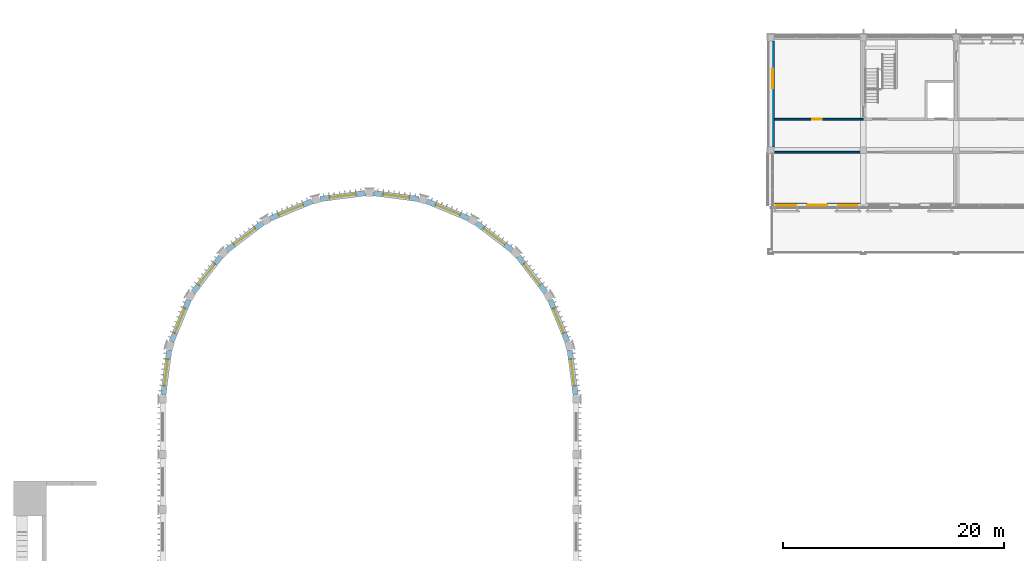
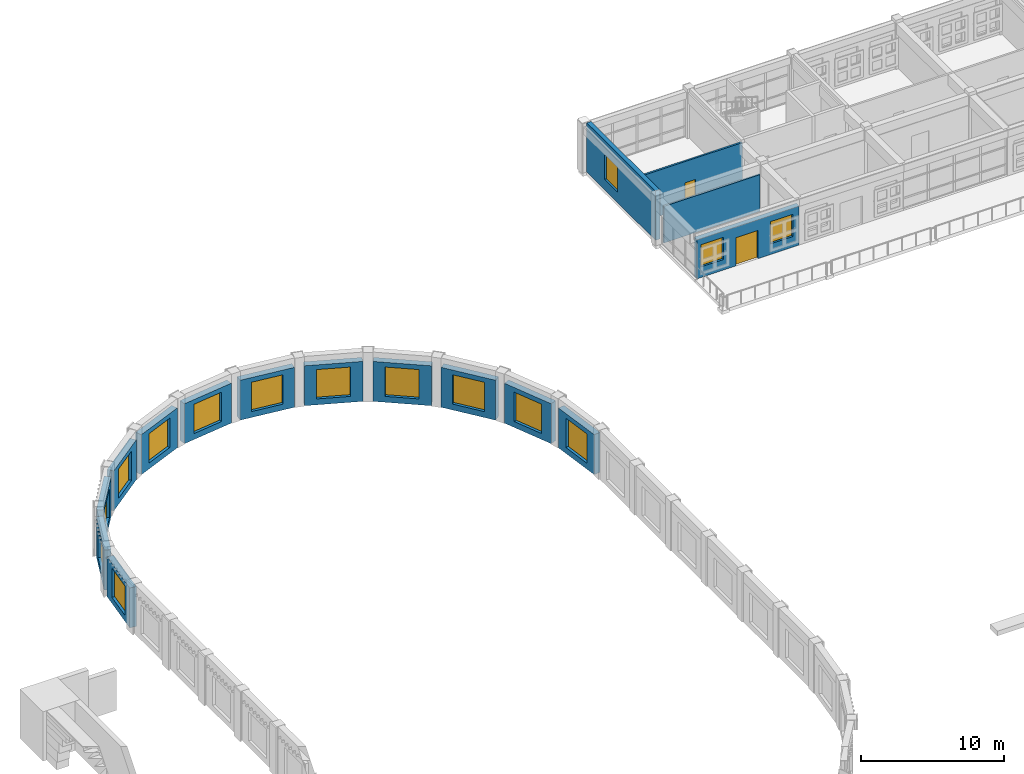
# One storey, part 41 of 71: 16 walls, 15 windows, 2 doors, 17 openings.
"""IFC4 building model written with IfcOpenShell, lengths in metres."""

from ifc_helpers import new_model, si_unit, direction, frame, frame_2d, origin, place, context, subcontext, project, spatial, rectangle, extrude, material, layer, layer_set, type_object, element, fill, save


model = new_model("IFC4")

# Units and contexts
model_context = context("Model", 3, precision=1e-05, world=origin(), true_north=direction((0.0, 1.0)))
body_context = subcontext(model_context, "Body", "Model", "MODEL_VIEW")
ifc_project = project(units=[si_unit("LENGTHUNIT", "METRE"), si_unit("AREAUNIT", "SQUARE_METRE"), si_unit("VOLUMEUNIT", "CUBIC_METRE"), si_unit("PLANEANGLEUNIT", "RADIAN"), si_unit("MASSUNIT", "GRAM", prefix="KILO")], contexts=[model_context])

# Site, building, storey
site_placement = place(None, origin())
site = spatial("IfcSite", under=ifc_project, at=site_placement, CompositionType="ELEMENT")
building_placement = place(site_placement, origin())
building = spatial("IfcBuilding", under=site, at=building_placement, Name="Wasatch Bagh Community Centre", CompositionType="ELEMENT")
storey_placement = place(building_placement, frame((0.0, 0.0, 12.60009765625)))
storey = spatial("IfcBuildingStorey", under=building, at=storey_placement, Name="L03", CompositionType="ELEMENT", Elevation=12.60009765625)

# Wall, opening, window
ifc_material_1 = material(Name="Concrete C40", Category="concrete")
ifc_layer_1 = layer(ifc_material_1, 0.35009765625)
ifc_layer_set_1 = layer_set([ifc_layer_1], Name="Concrete C40")
wall_type_1 = type_object("IfcWallType", Name="LW end shear wall 350", PredefinedType="SHEAR", material=ifc_layer_set_1)
wall_1_placement = place(storey_placement, frame((72.574951171875, 87.89990234375, 0.0), z_axis=(0.0, 0.0, 1.0), x_axis=(0.0, 1.0, 0.0)))
wall_1 = element("IfcWall", 1, at=wall_1_placement, inside=storey, type_object=wall_type_1, Name="LW.swall.L03.12", PredefinedType="SHEAR", context=body_context, shape_type="SweptSolid", body=[
    extrude(rectangle(XDim=9.60009765625, YDim=0.35009765625, at=frame_2d((4.800048828125, 0.0))), origin(), (0.0, 0.0, 1.0), 4.199951171875),
])
opening_1_placement = place(wall_1_placement, frame((5.300048828125, 0.0, 0.89990234375)))
opening_1 = element("IfcOpeningElement", 2, at=opening_1_placement, cuts=wall_1, Name="Opening 3L-W022", PredefinedType="OPENING", context=body_context, shape_type="SweptSolid", body=[
    extrude(rectangle(XDim=1.800048828125, YDim=2.10009765625, at=frame_2d((0.89990234375, 1.050048828125))), frame((0.0, 0.18505859375, 0.0), z_axis=(0.0, -1.0, 0.0), x_axis=(1.0, 0.0, 0.0)), (0.0, 0.0, 1.0), 0.3701171875),
])
ifc_material_2 = material(Name="Aluminium framed double glazing", Category="aluminium")
window_type_1 = type_object("IfcWindowType", Name="LW window 1800x2100", PartitioningType="SINGLE_PANEL", PredefinedType="WINDOW", material=ifc_material_2)
window_1_placement = place(opening_1_placement, origin())
window_1 = element("IfcWindow", 3, at=window_1_placement, inside=storey, type_object=window_type_1, Name="Window 3L-W022", OverallHeight=2.10009765625, OverallWidth=1.800048828125, PartitioningType="SINGLE_PANEL", PredefinedType="WINDOW", context=body_context, shape_type="SweptSolid", body=[
    extrude(rectangle(XDim=1.800048828125, YDim=2.10009765625, at=frame_2d((0.89990234375, 1.050048828125))), frame((0.0, 0.030029296875, 0.0), z_axis=(0.0, -1.0, 0.0), x_axis=(1.0, 0.0, 0.0)), (0.0, 0.0, 1.0), 0.06005859375),
])
fill(opening_1, window_1)

# Wall, openings, door, windows
ifc_material_3 = material(Name="Concrete C35", Category="concrete")
ifc_layer_2 = layer(ifc_material_3, 0.39990234375)
ifc_layer_set_2 = layer_set([ifc_layer_2], Name="Concrete C35")
wall_type_2 = type_object("IfcWallType", Name="LW facade wall 400", PredefinedType="SOLIDWALL", material=ifc_layer_set_2)
wall_2_placement = place(storey_placement, frame((72.5849609375, 82.60009765625, 0.0), z_axis=(0.0, 0.0, 1.0), x_axis=(1.0, 0.0, 0.0)))
wall_2 = element("IfcWall", 4, at=wall_2_placement, inside=storey, type_object=wall_type_2, Name="Facade wall", PredefinedType="SOLIDWALL", context=body_context, shape_type="SweptSolid", body=[
    extrude(rectangle(XDim=8.215087890625, YDim=0.39990234375, at=frame_2d((4.107421875, 0.0))), origin(), (0.0, 0.0, 1.0), 3.31982421875),
])
opening_2_placement = place(wall_2_placement, frame((3.114990234375, 0.0, 0.0)))
opening_2 = element("IfcOpeningElement", 5, at=opening_2_placement, cuts=wall_2, Name="Opening 3L-01", PredefinedType="OPENING", context=body_context, shape_type="SweptSolid", body=[
    extrude(rectangle(XDim=1.800048828125, YDim=2.39990234375, at=frame_2d((0.89990234375, 1.199951171875))), frame((0.0, 0.2099609375, 0.0), z_axis=(0.0, -1.0, 0.0), x_axis=(1.0, 0.0, 0.0)), (0.0, 0.0, 1.0), 0.419921875),
])
opening_3_placement = place(wall_2_placement, frame((0.31494140625, 0.0, 0.89990234375)))
opening_3 = element("IfcOpeningElement", 6, at=opening_3_placement, cuts=wall_2, Name="Opening 3L-W001", PredefinedType="OPENING", context=body_context, shape_type="SweptSolid", body=[
    extrude(rectangle(XDim=1.800048828125, YDim=1.89990234375, at=frame_2d((0.89990234375, 0.949951171875))), frame((0.0, 0.2099609375, 0.0), z_axis=(0.0, -1.0, 0.0), x_axis=(1.0, 0.0, 0.0)), (0.0, 0.0, 1.0), 0.419921875),
])
opening_4_placement = place(wall_2_placement, frame((5.9150390625, 0.0, 0.89990234375)))
opening_4 = element("IfcOpeningElement", 7, at=opening_4_placement, cuts=wall_2, Name="Opening 3L-W002", PredefinedType="OPENING", context=body_context, shape_type="SweptSolid", body=[
    extrude(rectangle(XDim=1.800048828125, YDim=1.89990234375, at=frame_2d((0.89990234375, 0.949951171875))), frame((0.0, 0.2099609375, 0.0), z_axis=(0.0, -1.0, 0.0), x_axis=(1.0, 0.0, 0.0)), (0.0, 0.0, 1.0), 0.419921875),
])
ifc_material_4 = material(Name="Aluminium framed glazed door", Category="aluminium")
door_type_1 = type_object("IfcDoorType", Name="LW terrace door pair 1800x2400", OperationType="DOUBLE_DOOR_SINGLE_SWING", PredefinedType="DOOR", material=ifc_material_4)
door_1_placement = place(opening_2_placement, origin())
door_1 = element("IfcDoor", 8, at=door_1_placement, inside=storey, type_object=door_type_1, Name="Terrace door 3L-01", OperationType="DOUBLE_DOOR_SINGLE_SWING", OverallHeight=2.39990234375, OverallWidth=1.800048828125, PredefinedType="DOOR", context=body_context, shape_type="SweptSolid", body=[
    extrude(rectangle(XDim=1.800048828125, YDim=2.39990234375, at=frame_2d((0.89990234375, 1.199951171875))), frame((0.0, 0.02490234375, 0.0), z_axis=(0.0, -1.0, 0.0), x_axis=(1.0, 0.0, 0.0)), (0.0, 0.0, 1.0), 0.050048828125),
])
fill(opening_2, door_1)
window_type_2 = type_object("IfcWindowType", Name="LW window 1800x1900", PartitioningType="SINGLE_PANEL", PredefinedType="WINDOW", material=ifc_material_2)
window_2_placement = place(opening_3_placement, origin())
window_2 = element("IfcWindow", 9, at=window_2_placement, inside=storey, type_object=window_type_2, Name="Window 3L-W001", OverallHeight=1.89990234375, OverallWidth=1.800048828125, PartitioningType="SINGLE_PANEL", PredefinedType="WINDOW", context=body_context, shape_type="SweptSolid", body=[
    extrude(rectangle(XDim=1.800048828125, YDim=1.89990234375, at=frame_2d((0.89990234375, 0.949951171875))), frame((0.0, 0.030029296875, 0.0), z_axis=(0.0, -1.0, 0.0), x_axis=(1.0, 0.0, 0.0)), (0.0, 0.0, 1.0), 0.06005859375),
])
fill(opening_3, window_2)
window_3_placement = place(opening_4_placement, origin())
window_3 = element("IfcWindow", 10, at=window_3_placement, inside=storey, type_object=window_type_2, Name="Window 3L-W002", OverallHeight=1.89990234375, OverallWidth=1.800048828125, PartitioningType="SINGLE_PANEL", PredefinedType="WINDOW", context=body_context, shape_type="SweptSolid", body=[
    extrude(rectangle(XDim=1.800048828125, YDim=1.89990234375, at=frame_2d((0.89990234375, 0.949951171875))), frame((0.0, 0.030029296875, 0.0), z_axis=(0.0, -1.0, 0.0), x_axis=(1.0, 0.0, 0.0)), (0.0, 0.0, 1.0), 0.06005859375),
])
fill(opening_4, window_3)

# Wall
ifc_material_5 = material(Name="Gypsum board on steel studs", Category="steel")
ifc_layer_3 = layer(ifc_material_5, 0.14990234375)
ifc_layer_set_3 = layer_set([ifc_layer_3], Name="Gypsum board on steel studs")
wall_type_3 = type_object("IfcWallType", Name="LW partition 150", PredefinedType="PARTITIONING", material=ifc_layer_set_3)
wall_3_placement = place(storey_placement, frame((72.75, 87.39990234375, 0.0), z_axis=(0.0, 0.0, 1.0), x_axis=(1.0, 0.0, 0.0)))
element("IfcWall", 11, at=wall_3_placement, inside=storey, type_object=wall_type_3, Name="LW.part.L03.003", PredefinedType="PARTITIONING", context=body_context, shape_type="SweptSolid", body=[
    extrude(rectangle(XDim=7.75, YDim=0.14990234375, at=frame_2d((3.875, 0.0))), origin(), (0.0, 0.0, 1.0), 3.119873046875),
])

# Wall, opening, door
wall_4_placement = place(storey_placement, frame((72.75, 90.39990234375, 0.0), z_axis=(0.0, 0.0, 1.0), x_axis=(1.0, 0.0, 0.0)))
wall_4 = element("IfcWall", 12, at=wall_4_placement, inside=storey, type_object=wall_type_3, Name="LW.part.L03.008", PredefinedType="PARTITIONING", context=body_context, shape_type="SweptSolid", body=[
    extrude(rectangle(XDim=8.050048828125, YDim=0.14990234375, at=frame_2d((4.02490234375, 0.0))), origin(), (0.0, 0.0, 1.0), 3.919921875),
])
opening_5_placement = place(wall_4_placement, frame((3.425048828125, 0.0, 0.0)))
opening_5 = element("IfcOpeningElement", 13, at=opening_5_placement, cuts=wall_4, Name="Opening 3L-11", PredefinedType="OPENING", context=body_context, shape_type="SweptSolid", body=[
    extrude(rectangle(XDim=0.85009765625, YDim=2.10009765625, at=frame_2d((0.425048828125, 1.050048828125))), frame((0.0, 0.0849609375, 0.0), z_axis=(0.0, -1.0, 0.0), x_axis=(1.0, 0.0, 0.0)), (0.0, 0.0, 1.0), 0.169921875),
])
ifc_material_6 = material(Name="Painted timber", Category="wood")
door_type_2 = type_object("IfcDoorType", Name="LW office door 850x2100", OperationType="SINGLE_SWING_LEFT", PredefinedType="DOOR", material=ifc_material_6)
door_2_placement = place(opening_5_placement, origin())
door_2 = element("IfcDoor", 14, at=door_2_placement, inside=storey, type_object=door_type_2, Name="Door Staff Office 1 3L-11", OperationType="SINGLE_SWING_LEFT", OverallHeight=2.10009765625, OverallWidth=0.85009765625, PredefinedType="DOOR", context=body_context, shape_type="SweptSolid", body=[
    extrude(rectangle(XDim=0.85009765625, YDim=2.10009765625, at=frame_2d((0.425048828125, 1.050048828125))), frame((0.0, 0.02490234375, 0.0), z_axis=(0.0, -1.0, 0.0), x_axis=(1.0, 0.0, 0.0)), (0.0, 0.0, 1.0), 0.050048828125),
])
fill(opening_5, door_2)

# Wall, opening, window
ifc_layer_4 = layer(ifc_material_1, 0.5)
ifc_layer_set_4 = layer_set([ifc_layer_4], Name="Concrete C40")
wall_type_4 = type_object("IfcWallType", Name="MH wall RC WALL 500", PredefinedType="SHEAR", material=ifc_layer_set_4)
wall_5_placement = place(storey_placement, frame((54.699462890625, 65.383056640625, 0.0), z_axis=(0.0, 0.0, 1.0), x_axis=(-0.130483623501, 0.991450464722, 0.0)))
wall_5 = element("IfcWall", 15, at=wall_5_placement, inside=storey, type_object=wall_type_4, Name="Capsule wall 19", PredefinedType="SHEAR", context=body_context, shape_type="SweptSolid", body=[
    extrude(rectangle(XDim=4.121826171875, YDim=0.5, at=frame_2d((2.06103515625, 0.0))), origin(), (0.0, 0.0, 1.0), 3.39990234375),
])
opening_6_placement = place(wall_5_placement, frame((0.86083984375, 0.0, 0.5)))
opening_6 = element("IfcOpeningElement", 16, at=opening_6_placement, cuts=wall_5, Name="Opening 0M-W19", PredefinedType="OPENING", context=body_context, shape_type="SweptSolid", body=[
    extrude(rectangle(XDim=2.39990234375, YDim=2.5, at=frame_2d((1.199951171875, 1.25))), frame((0.0, 0.260009765625, 0.0), z_axis=(0.0, -1.0, 0.0), x_axis=(1.0, 0.0, 0.0)), (0.0, 0.0, 1.0), 0.52001953125),
])
ifc_material_7 = material(Name="Aluminium frame with low-iron insulated glass", Category="aluminium")
window_type_3 = type_object("IfcWindowType", Name="MH clerestory window W2", PartitioningType="SINGLE_PANEL", PredefinedType="WINDOW", material=ifc_material_7)
window_4_placement = place(opening_6_placement, origin())
window_4 = element("IfcWindow", 17, at=window_4_placement, inside=storey, type_object=window_type_3, Name="Window 0M-W19", OverallHeight=2.5, OverallWidth=2.39990234375, PartitioningType="SINGLE_PANEL", PredefinedType="WINDOW", context=body_context, shape_type="SweptSolid", body=[
    extrude(rectangle(XDim=2.39990234375, YDim=2.5, at=frame_2d((1.199951171875, 1.25))), frame((0.0, 0.030029296875, 0.0), z_axis=(0.0, -1.0, 0.0), x_axis=(1.0, 0.0, 0.0)), (0.0, 0.0, 1.0), 0.06005859375),
])
fill(opening_6, window_4)

wall_6_placement = place(storey_placement, frame((53.963134765625, 70.2099609375, 0.0), z_axis=(0.0, 0.0, 1.0), x_axis=(-0.382688328955, 0.923877504262, 0.0)))
wall_6 = element("IfcWall", 18, at=wall_6_placement, inside=storey, type_object=wall_type_4, Name="Capsule wall 20", PredefinedType="SHEAR", context=body_context, shape_type="SweptSolid", body=[
    extrude(rectangle(XDim=4.121826171875, YDim=0.5, at=frame_2d((2.06103515625, 0.0))), origin(), (0.0, 0.0, 1.0), 3.39990234375),
])
opening_7_placement = place(wall_6_placement, frame((0.86083984375, 0.0, 0.5)))
opening_7 = element("IfcOpeningElement", 19, at=opening_7_placement, cuts=wall_6, Name="Opening 0M-W20", PredefinedType="OPENING", context=body_context, shape_type="SweptSolid", body=[
    extrude(rectangle(XDim=2.39990234375, YDim=2.5, at=frame_2d((1.199951171875, 1.25))), frame((0.0, 0.260009765625, 0.0), z_axis=(0.0, -1.0, 0.0), x_axis=(1.0, 0.0, 0.0)), (0.0, 0.0, 1.0), 0.52001953125),
])
window_5_placement = place(opening_7_placement, origin())
window_5 = element("IfcWindow", 20, at=window_5_placement, inside=storey, type_object=window_type_3, Name="Window 0M-W20", OverallHeight=2.5, OverallWidth=2.39990234375, PartitioningType="SINGLE_PANEL", PredefinedType="WINDOW", context=body_context, shape_type="SweptSolid", body=[
    extrude(rectangle(XDim=2.39990234375, YDim=2.5, at=frame_2d((1.199951171875, 1.25))), frame((0.0, 0.030029296875, 0.0), z_axis=(0.0, -1.0, 0.0), x_axis=(1.0, 0.0, 0.0)), (0.0, 0.0, 1.0), 0.06005859375),
])
fill(opening_7, window_5)

wall_7_placement = place(storey_placement, frame((52.002685546875, 74.681640625, 0.0), z_axis=(0.0, 0.0, 1.0), x_axis=(-0.60877717335, 0.793341258985, 0.0)))
wall_7 = element("IfcWall", 21, at=wall_7_placement, inside=storey, type_object=wall_type_4, Name="Capsule wall 21", PredefinedType="SHEAR", context=body_context, shape_type="SweptSolid", body=[
    extrude(rectangle(XDim=4.121826171875, YDim=0.5, at=frame_2d((2.06103515625, 0.0))), origin(), (0.0, 0.0, 1.0), 3.39990234375),
])
opening_8_placement = place(wall_7_placement, frame((0.86083984375, 0.0, 0.5)))
opening_8 = element("IfcOpeningElement", 22, at=opening_8_placement, cuts=wall_7, Name="Opening 0M-W21", PredefinedType="OPENING", context=body_context, shape_type="SweptSolid", body=[
    extrude(rectangle(XDim=2.39990234375, YDim=2.5, at=frame_2d((1.199951171875, 1.25))), frame((0.0, 0.260009765625, 0.0), z_axis=(0.0, -1.0, 0.0), x_axis=(1.0, 0.0, 0.0)), (0.0, 0.0, 1.0), 0.52001953125),
])
window_6_placement = place(opening_8_placement, origin())
window_6 = element("IfcWindow", 23, at=window_6_placement, inside=storey, type_object=window_type_3, Name="Window 0M-W21", OverallHeight=2.5, OverallWidth=2.39990234375, PartitioningType="SINGLE_PANEL", PredefinedType="WINDOW", context=body_context, shape_type="SweptSolid", body=[
    extrude(rectangle(XDim=2.39990234375, YDim=2.5, at=frame_2d((1.199951171875, 1.25))), frame((0.0, 0.030029296875, 0.0), z_axis=(0.0, -1.0, 0.0), x_axis=(1.0, 0.0, 0.0)), (0.0, 0.0, 1.0), 0.06005859375),
])
fill(opening_8, window_6)

wall_8_placement = place(storey_placement, frame((48.95166015625, 78.493408203125, 0.0), z_axis=(0.0, 0.0, 1.0), x_axis=(-0.793341258985, 0.60877717335, 0.0)))
wall_8 = element("IfcWall", 24, at=wall_8_placement, inside=storey, type_object=wall_type_4, Name="Capsule wall 22", PredefinedType="SHEAR", context=body_context, shape_type="SweptSolid", body=[
    extrude(rectangle(XDim=4.121826171875, YDim=0.5, at=frame_2d((2.06103515625, 0.0))), origin(), (0.0, 0.0, 1.0), 3.39990234375),
])
opening_9_placement = place(wall_8_placement, frame((0.86083984375, 0.0, 0.5)))
opening_9 = element("IfcOpeningElement", 25, at=opening_9_placement, cuts=wall_8, Name="Opening 0M-W22", PredefinedType="OPENING", context=body_context, shape_type="SweptSolid", body=[
    extrude(rectangle(XDim=2.39990234375, YDim=2.5, at=frame_2d((1.199951171875, 1.25))), frame((0.0, 0.260009765625, 0.0), z_axis=(0.0, -1.0, 0.0), x_axis=(1.0, 0.0, 0.0)), (0.0, 0.0, 1.0), 0.52001953125),
])
window_7_placement = place(opening_9_placement, origin())
window_7 = element("IfcWindow", 26, at=window_7_placement, inside=storey, type_object=window_type_3, Name="Window 0M-W22", OverallHeight=2.5, OverallWidth=2.39990234375, PartitioningType="SINGLE_PANEL", PredefinedType="WINDOW", context=body_context, shape_type="SweptSolid", body=[
    extrude(rectangle(XDim=2.39990234375, YDim=2.5, at=frame_2d((1.199951171875, 1.25))), frame((0.0, 0.030029296875, 0.0), z_axis=(0.0, -1.0, 0.0), x_axis=(1.0, 0.0, 0.0)), (0.0, 0.0, 1.0), 0.06005859375),
])
fill(opening_9, window_7)

wall_9_placement = place(storey_placement, frame((45.01806640625, 81.3857421875, 0.0), z_axis=(0.0, 0.0, 1.0), x_axis=(-0.923877504262, 0.382688328955, 0.0)))
wall_9 = element("IfcWall", 27, at=wall_9_placement, inside=storey, type_object=wall_type_4, Name="Capsule wall 23", PredefinedType="SHEAR", context=body_context, shape_type="SweptSolid", body=[
    extrude(rectangle(XDim=4.121826171875, YDim=0.5, at=frame_2d((2.06103515625, 0.0))), origin(), (0.0, 0.0, 1.0), 3.39990234375),
])
opening_10_placement = place(wall_9_placement, frame((0.86083984375, 0.0, 0.5)))
opening_10 = element("IfcOpeningElement", 28, at=opening_10_placement, cuts=wall_9, Name="Opening 0M-W23", PredefinedType="OPENING", context=body_context, shape_type="SweptSolid", body=[
    extrude(rectangle(XDim=2.39990234375, YDim=2.5, at=frame_2d((1.199951171875, 1.25))), frame((0.0, 0.260009765625, 0.0), z_axis=(0.0, -1.0, 0.0), x_axis=(1.0, 0.0, 0.0)), (0.0, 0.0, 1.0), 0.52001953125),
])
window_8_placement = place(opening_10_placement, origin())
window_8 = element("IfcWindow", 29, at=window_8_placement, inside=storey, type_object=window_type_3, Name="Window 0M-W23", OverallHeight=2.5, OverallWidth=2.39990234375, PartitioningType="SINGLE_PANEL", PredefinedType="WINDOW", context=body_context, shape_type="SweptSolid", body=[
    extrude(rectangle(XDim=2.39990234375, YDim=2.5, at=frame_2d((1.199951171875, 1.25))), frame((0.0, 0.030029296875, 0.0), z_axis=(0.0, -1.0, 0.0), x_axis=(1.0, 0.0, 0.0)), (0.0, 0.0, 1.0), 0.06005859375),
])
fill(opening_10, window_8)

wall_10_placement = place(storey_placement, frame((40.4697265625, 83.16162109375, 0.0), z_axis=(0.0, 0.0, 1.0), x_axis=(-0.991450464722, 0.130483623501, 0.0)))
wall_10 = element("IfcWall", 30, at=wall_10_placement, inside=storey, type_object=wall_type_4, Name="Capsule wall 24", PredefinedType="SHEAR", context=body_context, shape_type="SweptSolid", body=[
    extrude(rectangle(XDim=4.121826171875, YDim=0.5, at=frame_2d((2.06103515625, 0.0))), origin(), (0.0, 0.0, 1.0), 3.39990234375),
])
opening_11_placement = place(wall_10_placement, frame((0.86083984375, 0.0, 0.5)))
opening_11 = element("IfcOpeningElement", 31, at=opening_11_placement, cuts=wall_10, Name="Opening 0M-W24", PredefinedType="OPENING", context=body_context, shape_type="SweptSolid", body=[
    extrude(rectangle(XDim=2.39990234375, YDim=2.5, at=frame_2d((1.199951171875, 1.25))), frame((0.0, 0.260009765625, 0.0), z_axis=(0.0, -1.0, 0.0), x_axis=(1.0, 0.0, 0.0)), (0.0, 0.0, 1.0), 0.52001953125),
])
window_9_placement = place(opening_11_placement, origin())
window_9 = element("IfcWindow", 32, at=window_9_placement, inside=storey, type_object=window_type_3, Name="Window 0M-W24", OverallHeight=2.5, OverallWidth=2.39990234375, PartitioningType="SINGLE_PANEL", PredefinedType="WINDOW", context=body_context, shape_type="SweptSolid", body=[
    extrude(rectangle(XDim=2.39990234375, YDim=2.5, at=frame_2d((1.199951171875, 1.25))), frame((0.0, 0.030029296875, 0.0), z_axis=(0.0, -1.0, 0.0), x_axis=(1.0, 0.0, 0.0)), (0.0, 0.0, 1.0), 0.06005859375),
])
fill(opening_11, window_9)

wall_11_placement = place(storey_placement, frame((35.616943359375, 83.699462890625, 0.0), z_axis=(0.0, 0.0, 1.0), x_axis=(-0.991450464722, -0.130483623501, 0.0)))
wall_11 = element("IfcWall", 33, at=wall_11_placement, inside=storey, type_object=wall_type_4, Name="Capsule wall 25", PredefinedType="SHEAR", context=body_context, shape_type="SweptSolid", body=[
    extrude(rectangle(XDim=4.121826171875, YDim=0.5, at=frame_2d((2.06103515625, 0.0))), origin(), (0.0, 0.0, 1.0), 3.39990234375),
])
opening_12_placement = place(wall_11_placement, frame((0.86083984375, 0.0, 0.5)))
opening_12 = element("IfcOpeningElement", 34, at=opening_12_placement, cuts=wall_11, Name="Opening 0M-W25", PredefinedType="OPENING", context=body_context, shape_type="SweptSolid", body=[
    extrude(rectangle(XDim=2.39990234375, YDim=2.5, at=frame_2d((1.199951171875, 1.25))), frame((0.0, 0.260009765625, 0.0), z_axis=(0.0, -1.0, 0.0), x_axis=(1.0, 0.0, 0.0)), (0.0, 0.0, 1.0), 0.52001953125),
])
window_10_placement = place(opening_12_placement, origin())
window_10 = element("IfcWindow", 35, at=window_10_placement, inside=storey, type_object=window_type_3, Name="Window 0M-W25", OverallHeight=2.5, OverallWidth=2.39990234375, PartitioningType="SINGLE_PANEL", PredefinedType="WINDOW", context=body_context, shape_type="SweptSolid", body=[
    extrude(rectangle(XDim=2.39990234375, YDim=2.5, at=frame_2d((1.199951171875, 1.25))), frame((0.0, 0.030029296875, 0.0), z_axis=(0.0, -1.0, 0.0), x_axis=(1.0, 0.0, 0.0)), (0.0, 0.0, 1.0), 0.06005859375),
])
fill(opening_12, window_10)

wall_12_placement = place(storey_placement, frame((30.7900390625, 82.963134765625, 0.0), z_axis=(0.0, 0.0, 1.0), x_axis=(-0.923877504262, -0.382688328955, 0.0)))
wall_12 = element("IfcWall", 36, at=wall_12_placement, inside=storey, type_object=wall_type_4, Name="Capsule wall 26", PredefinedType="SHEAR", context=body_context, shape_type="SweptSolid", body=[
    extrude(rectangle(XDim=4.121826171875, YDim=0.5, at=frame_2d((2.06103515625, 0.0))), origin(), (0.0, 0.0, 1.0), 3.39990234375),
])
opening_13_placement = place(wall_12_placement, frame((0.86083984375, 0.0, 0.5)))
opening_13 = element("IfcOpeningElement", 37, at=opening_13_placement, cuts=wall_12, Name="Opening 0M-W26", PredefinedType="OPENING", context=body_context, shape_type="SweptSolid", body=[
    extrude(rectangle(XDim=2.39990234375, YDim=2.5, at=frame_2d((1.199951171875, 1.25))), frame((0.0, 0.260009765625, 0.0), z_axis=(0.0, -1.0, 0.0), x_axis=(1.0, 0.0, 0.0)), (0.0, 0.0, 1.0), 0.52001953125),
])
window_11_placement = place(opening_13_placement, origin())
window_11 = element("IfcWindow", 38, at=window_11_placement, inside=storey, type_object=window_type_3, Name="Window 0M-W26", OverallHeight=2.5, OverallWidth=2.39990234375, PartitioningType="SINGLE_PANEL", PredefinedType="WINDOW", context=body_context, shape_type="SweptSolid", body=[
    extrude(rectangle(XDim=2.39990234375, YDim=2.5, at=frame_2d((1.199951171875, 1.25))), frame((0.0, 0.030029296875, 0.0), z_axis=(0.0, -1.0, 0.0), x_axis=(1.0, 0.0, 0.0)), (0.0, 0.0, 1.0), 0.06005859375),
])
fill(opening_13, window_11)

wall_13_placement = place(storey_placement, frame((26.318359375, 81.002685546875, 0.0), z_axis=(0.0, 0.0, 1.0), x_axis=(-0.793341258985, -0.60877717335, 0.0)))
wall_13 = element("IfcWall", 39, at=wall_13_placement, inside=storey, type_object=wall_type_4, Name="Capsule wall 27", PredefinedType="SHEAR", context=body_context, shape_type="SweptSolid", body=[
    extrude(rectangle(XDim=4.121826171875, YDim=0.5, at=frame_2d((2.06103515625, 0.0))), origin(), (0.0, 0.0, 1.0), 3.39990234375),
])
opening_14_placement = place(wall_13_placement, frame((0.86083984375, 0.0, 0.5)))
opening_14 = element("IfcOpeningElement", 40, at=opening_14_placement, cuts=wall_13, Name="Opening 0M-W27", PredefinedType="OPENING", context=body_context, shape_type="SweptSolid", body=[
    extrude(rectangle(XDim=2.39990234375, YDim=2.5, at=frame_2d((1.199951171875, 1.25))), frame((0.0, 0.260009765625, 0.0), z_axis=(0.0, -1.0, 0.0), x_axis=(1.0, 0.0, 0.0)), (0.0, 0.0, 1.0), 0.52001953125),
])
window_12_placement = place(opening_14_placement, origin())
window_12 = element("IfcWindow", 41, at=window_12_placement, inside=storey, type_object=window_type_3, Name="Window 0M-W27", OverallHeight=2.5, OverallWidth=2.39990234375, PartitioningType="SINGLE_PANEL", PredefinedType="WINDOW", context=body_context, shape_type="SweptSolid", body=[
    extrude(rectangle(XDim=2.39990234375, YDim=2.5, at=frame_2d((1.199951171875, 1.25))), frame((0.0, 0.030029296875, 0.0), z_axis=(0.0, -1.0, 0.0), x_axis=(1.0, 0.0, 0.0)), (0.0, 0.0, 1.0), 0.06005859375),
])
fill(opening_14, window_12)

wall_14_placement = place(storey_placement, frame((22.506591796875, 77.95166015625, 0.0), z_axis=(0.0, 0.0, 1.0), x_axis=(-0.60877717335, -0.793341258985, 0.0)))
wall_14 = element("IfcWall", 42, at=wall_14_placement, inside=storey, type_object=wall_type_4, Name="Capsule wall 28", PredefinedType="SHEAR", context=body_context, shape_type="SweptSolid", body=[
    extrude(rectangle(XDim=4.121826171875, YDim=0.5, at=frame_2d((2.06103515625, 0.0))), origin(), (0.0, 0.0, 1.0), 3.39990234375),
])
opening_15_placement = place(wall_14_placement, frame((0.86083984375, 0.0, 0.5)))
opening_15 = element("IfcOpeningElement", 43, at=opening_15_placement, cuts=wall_14, Name="Opening 0M-W28", PredefinedType="OPENING", context=body_context, shape_type="SweptSolid", body=[
    extrude(rectangle(XDim=2.39990234375, YDim=2.5, at=frame_2d((1.199951171875, 1.25))), frame((0.0, 0.260009765625, 0.0), z_axis=(0.0, -1.0, 0.0), x_axis=(1.0, 0.0, 0.0)), (0.0, 0.0, 1.0), 0.52001953125),
])
window_13_placement = place(opening_15_placement, origin())
window_13 = element("IfcWindow", 44, at=window_13_placement, inside=storey, type_object=window_type_3, Name="Window 0M-W28", OverallHeight=2.5, OverallWidth=2.39990234375, PartitioningType="SINGLE_PANEL", PredefinedType="WINDOW", context=body_context, shape_type="SweptSolid", body=[
    extrude(rectangle(XDim=2.39990234375, YDim=2.5, at=frame_2d((1.199951171875, 1.25))), frame((0.0, 0.030029296875, 0.0), z_axis=(0.0, -1.0, 0.0), x_axis=(1.0, 0.0, 0.0)), (0.0, 0.0, 1.0), 0.06005859375),
])
fill(opening_15, window_13)

wall_15_placement = place(storey_placement, frame((19.6142578125, 74.01806640625, 0.0), z_axis=(0.0, 0.0, 1.0), x_axis=(-0.382688328955, -0.923877504262, 0.0)))
wall_15 = element("IfcWall", 45, at=wall_15_placement, inside=storey, type_object=wall_type_4, Name="Capsule wall 29", PredefinedType="SHEAR", context=body_context, shape_type="SweptSolid", body=[
    extrude(rectangle(XDim=4.121826171875, YDim=0.5, at=frame_2d((2.06103515625, 0.0))), origin(), (0.0, 0.0, 1.0), 3.39990234375),
])
opening_16_placement = place(wall_15_placement, frame((0.86083984375, 0.0, 0.5)))
opening_16 = element("IfcOpeningElement", 46, at=opening_16_placement, cuts=wall_15, Name="Opening 0M-W29", PredefinedType="OPENING", context=body_context, shape_type="SweptSolid", body=[
    extrude(rectangle(XDim=2.39990234375, YDim=2.5, at=frame_2d((1.199951171875, 1.25))), frame((0.0, 0.260009765625, 0.0), z_axis=(0.0, -1.0, 0.0), x_axis=(1.0, 0.0, 0.0)), (0.0, 0.0, 1.0), 0.52001953125),
])
window_14_placement = place(opening_16_placement, origin())
window_14 = element("IfcWindow", 47, at=window_14_placement, inside=storey, type_object=window_type_3, Name="Window 0M-W29", OverallHeight=2.5, OverallWidth=2.39990234375, PartitioningType="SINGLE_PANEL", PredefinedType="WINDOW", context=body_context, shape_type="SweptSolid", body=[
    extrude(rectangle(XDim=2.39990234375, YDim=2.5, at=frame_2d((1.199951171875, 1.25))), frame((0.0, 0.030029296875, 0.0), z_axis=(0.0, -1.0, 0.0), x_axis=(1.0, 0.0, 0.0)), (0.0, 0.0, 1.0), 0.06005859375),
])
fill(opening_16, window_14)

wall_16_placement = place(storey_placement, frame((17.83837890625, 69.4697265625, 0.0), z_axis=(0.0, 0.0, 1.0), x_axis=(-0.130483623501, -0.991450464722, 0.0)))
wall_16 = element("IfcWall", 48, at=wall_16_placement, inside=storey, type_object=wall_type_4, Name="Capsule wall 30", PredefinedType="SHEAR", context=body_context, shape_type="SweptSolid", body=[
    extrude(rectangle(XDim=4.121826171875, YDim=0.5, at=frame_2d((2.06103515625, 0.0))), origin(), (0.0, 0.0, 1.0), 3.39990234375),
])
opening_17_placement = place(wall_16_placement, frame((0.86083984375, 0.0, 0.5)))
opening_17 = element("IfcOpeningElement", 49, at=opening_17_placement, cuts=wall_16, Name="Opening 0M-W30", PredefinedType="OPENING", context=body_context, shape_type="SweptSolid", body=[
    extrude(rectangle(XDim=2.39990234375, YDim=2.5, at=frame_2d((1.199951171875, 1.25))), frame((0.0, 0.260009765625, 0.0), z_axis=(0.0, -1.0, 0.0), x_axis=(1.0, 0.0, 0.0)), (0.0, 0.0, 1.0), 0.52001953125),
])
window_15_placement = place(opening_17_placement, origin())
window_15 = element("IfcWindow", 50, at=window_15_placement, inside=storey, type_object=window_type_3, Name="Window 0M-W30", OverallHeight=2.5, OverallWidth=2.39990234375, PartitioningType="SINGLE_PANEL", PredefinedType="WINDOW", context=body_context, shape_type="SweptSolid", body=[
    extrude(rectangle(XDim=2.39990234375, YDim=2.5, at=frame_2d((1.199951171875, 1.25))), frame((0.0, 0.030029296875, 0.0), z_axis=(0.0, -1.0, 0.0), x_axis=(1.0, 0.0, 0.0)), (0.0, 0.0, 1.0), 0.06005859375),
])
fill(opening_17, window_15)

save(model, "model.ifc")
